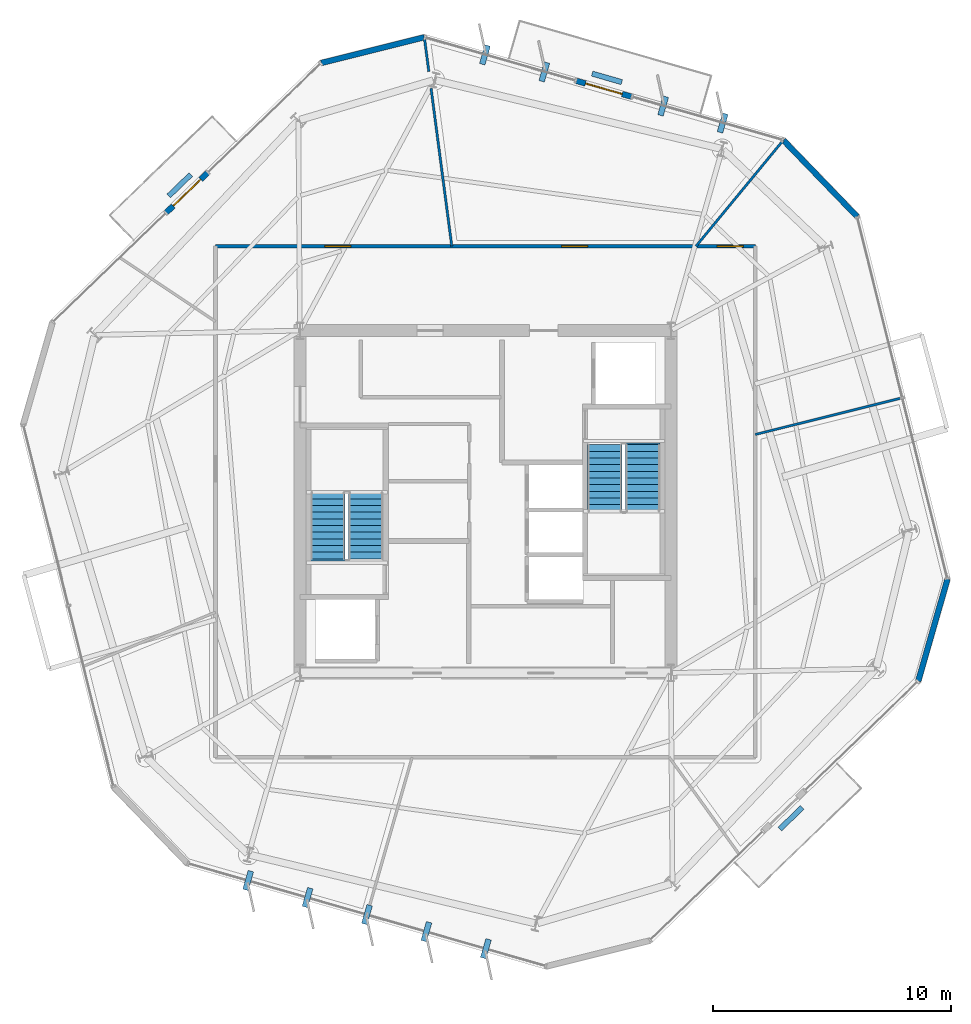
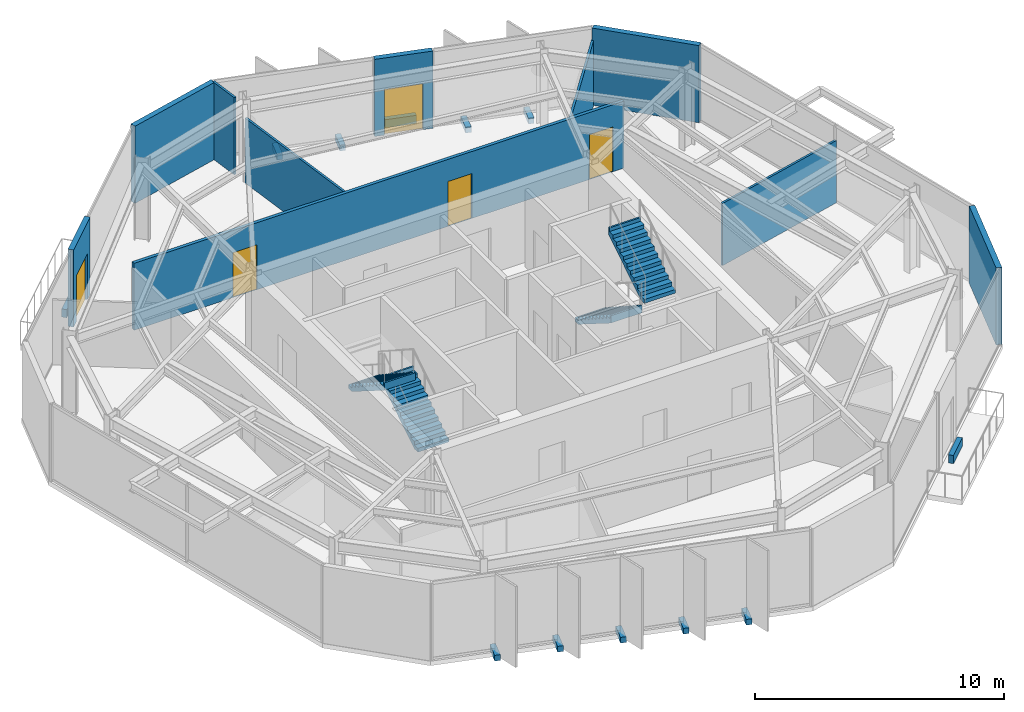
# One storey, part 8 of 10: 13 walls, 9 discrete accessories, 5 doors, 4 stair flights, 5 openings, 2 elements without a shape of their own.
"""IFC4 building model written with IfcOpenShell, lengths in metres."""

from ifc_helpers import new_model, si_unit, direction, frame, frame_2d, origin, origin_2d, place, context, subcontext, project, spatial, polyline, rectangle, outline, extrude, material, layer, layer_set, type_object, element, fill, aggregate, save


model = new_model("IFC4")

# Units and contexts
model_context = context("Model", 3, precision=1e-05, world=origin(), true_north=direction((0.0, 1.0)))
body_context = subcontext(model_context, "Body", "Model", "MODEL_VIEW")
ifc_project = project(units=[si_unit("LENGTHUNIT", "METRE"), si_unit("AREAUNIT", "SQUARE_METRE"), si_unit("VOLUMEUNIT", "CUBIC_METRE"), si_unit("PLANEANGLEUNIT", "RADIAN"), si_unit("MASSUNIT", "GRAM", prefix="KILO")], contexts=[model_context])

# Site, building, storey
site_placement = place(None, origin())
site = spatial("IfcSite", under=ifc_project, at=site_placement, CompositionType="ELEMENT")
building_placement = place(site_placement, origin())
building = spatial("IfcBuilding", under=site, at=building_placement, Name="Kranzbogen Civic Tower", CompositionType="ELEMENT")
storey_placement = place(building_placement, frame((0.0, 0.0, 200.800048828125)))
storey = spatial("IfcBuildingStorey", under=building, at=storey_placement, Name="L48", CompositionType="ELEMENT", Elevation=200.800048828125)

# Wall, openings, doors
ifc_material_1 = material(Name="Double-Stud Acoustic Gypsum Partition")
ifc_layer_1 = layer(ifc_material_1, 0.14990234375, Name="Double-Stud Acoustic Gypsum Partition")
ifc_layer_set_1 = layer_set([ifc_layer_1], Name="Double-Stud Acoustic Gypsum Partition")
wall_type_1 = type_object("IfcWallType", Name="Acoustic Corridor and Clinical Partition 150 mm", PredefinedType="PARTITIONING", material=ifc_layer_set_1)
wall_1_placement = place(storey_placement, frame((13.64990234375, 35.75, 0.0), z_axis=(0.0, 0.0, 1.0), x_axis=(1.0, 0.0, 0.0)))
wall_1 = element("IfcWall", 1, at=wall_1_placement, inside=storey, type_object=wall_type_1, Name="L48 corridor partition 01", PredefinedType="PARTITIONING", context=body_context, shape_type="SweptSolid", body=[
    extrude(rectangle(XDim=22.7001953125, YDim=0.14990234375, at=frame_2d((11.35009765625, 0.0))), origin(), (0.0, 0.0, 1.0), 3.280029296875),
])
opening_1_placement = place(wall_1_placement, frame((21.09912109375, 0.0, 0.0)))
opening_1 = element("IfcOpeningElement", 2, at=opening_1_placement, cuts=wall_1, Name="Opening D-COR60", PredefinedType="OPENING", context=body_context, shape_type="SweptSolid", body=[
    extrude(rectangle(XDim=1.10009765625, YDim=2.199951171875, at=frame_2d((0.550048828125, 1.10009765625))), frame((0.0, 0.0849609375, 0.0), z_axis=(0.0, -1.0, 0.0), x_axis=(1.0, 0.0, 0.0)), (0.0, 0.0, 1.0), 0.169921875),
])
opening_2_placement = place(wall_1_placement, frame((14.553955078125, 0.0, 0.0)))
opening_2 = element("IfcOpeningElement", 3, at=opening_2_placement, cuts=wall_1, Name="Opening D-COR60", PredefinedType="OPENING", context=body_context, shape_type="SweptSolid", body=[
    extrude(rectangle(XDim=1.10009765625, YDim=2.199951171875, at=frame_2d((0.550048828125, 1.10009765625))), frame((0.0, 0.0849609375, 0.0), z_axis=(0.0, -1.0, 0.0), x_axis=(1.0, 0.0, 0.0)), (0.0, 0.0, 1.0), 0.169921875),
])
opening_3_placement = place(wall_1_placement, frame((4.596923828125, 0.0, 0.0)))
opening_3 = element("IfcOpeningElement", 4, at=opening_3_placement, cuts=wall_1, Name="Opening D-COR60", PredefinedType="OPENING", context=body_context, shape_type="SweptSolid", body=[
    extrude(rectangle(XDim=1.10009765625, YDim=2.199951171875, at=frame_2d((0.550048828125, 1.10009765625))), frame((0.0, 0.0849609375, 0.0), z_axis=(0.0, -1.0, 0.0), x_axis=(1.0, 0.0, 0.0)), (0.0, 0.0, 1.0), 0.169921875),
])
ifc_material_2 = material(Name="Oak Timber and Fire Core", Category="wood")
door_type_1 = type_object("IfcDoorType", Name="Corridor Acoustic Fire Door 1100x2200", OperationType="NOTDEFINED", PredefinedType="DOOR", material=ifc_material_2)
door_1_placement = place(opening_1_placement, origin())
door_1 = element("IfcDoor", 5, at=door_1_placement, inside=storey, type_object=door_type_1, Name="L48 Municipal Exhibition Showroom door", OperationType="SINGLE_SWING_LEFT", OverallHeight=2.199951171875, OverallWidth=1.10009765625, PredefinedType="DOOR", context=body_context, shape_type="SweptSolid", body=[
    extrude(rectangle(XDim=1.10009765625, YDim=2.199951171875, at=frame_2d((0.550048828125, 1.10009765625))), frame((0.0, 0.02490234375, 0.0), z_axis=(0.0, -1.0, 0.0), x_axis=(1.0, 0.0, 0.0)), (0.0, 0.0, 1.0), 0.050048828125),
])
fill(opening_1, door_1)
door_2_placement = place(opening_2_placement, origin())
door_2 = element("IfcDoor", 6, at=door_2_placement, inside=storey, type_object=door_type_1, Name="L48 Licensing Information Kiosk door", OperationType="SINGLE_SWING_RIGHT", OverallHeight=2.199951171875, OverallWidth=1.10009765625, PredefinedType="DOOR", context=body_context, shape_type="SweptSolid", body=[
    extrude(rectangle(XDim=1.10009765625, YDim=2.199951171875, at=frame_2d((0.550048828125, 1.10009765625))), frame((0.0, 0.02490234375, 0.0), z_axis=(0.0, -1.0, 0.0), x_axis=(1.0, 0.0, 0.0)), (0.0, 0.0, 1.0), 0.050048828125),
])
fill(opening_2, door_2)
door_3_placement = place(opening_3_placement, origin())
door_3 = element("IfcDoor", 7, at=door_3_placement, inside=storey, type_object=door_type_1, Name="L48 Ministerial Policy Office door", OperationType="SINGLE_SWING_LEFT", OverallHeight=2.199951171875, OverallWidth=1.10009765625, PredefinedType="DOOR", context=body_context, shape_type="SweptSolid", body=[
    extrude(rectangle(XDim=1.10009765625, YDim=2.199951171875, at=frame_2d((0.550048828125, 1.10009765625))), frame((0.0, 0.02490234375, 0.0), z_axis=(0.0, -1.0, 0.0), x_axis=(1.0, 0.0, 0.0)), (0.0, 0.0, 1.0), 0.050048828125),
])
fill(opening_3, door_3)

# Walls
ifc_material_3 = material(Name="Architectural Precast Terracotta Concrete C40/50", Category="masonry")
ifc_layer_2 = layer(ifc_material_3, 0.219970703125, Name="Architectural Precast Terracotta Concrete C40/50")
ifc_layer_set_2 = layer_set([ifc_layer_2], Name="Architectural Precast Terracotta Concrete C40/50")
wall_type_2 = type_object("IfcWallType", Name="Architectural Tree Planter Kerb Wall 220 mm", PredefinedType="USERDEFINED", material=ifc_layer_set_2)
for number, where, z_axis, x_axis, name in (
    (8, (37.385986328125, 11.237060546875, 0.0), (0.0, 0.0, 1.0), (0.719288309138, 0.694711687204, 0.0), "L48 landscaped tree balcony planter L48-TB1"),
    (9, (12.614013671875, 38.762939453125, 0.0), (0.0, 0.0, 1.0), (-0.719288309138, -0.694711687204, 0.0), "L48 landscaped tree balcony planter L48-TB2"),
):
    element("IfcWall", number, at=place(storey_placement, frame(where, z_axis=z_axis, x_axis=x_axis)), inside=storey, type_object=wall_type_2, Name=name, ObjectType="PLANTER_WALL", PredefinedType="USERDEFINED", context=body_context, shape_type="SweptSolid", body=[
        extrude(rectangle(XDim=1.30126953125, YDim=0.219970703125, at=frame_2d((0.650634765625, 0.0))), origin(), (0.0, 0.0, 1.0), 0.39990234375),
    ])
wall_2_placement = place(storey_placement, frame((30.737060546875, 42.64892578125, 0.0), z_axis=(0.0, 0.0, 1.0), x_axis=(-0.961318208277, 0.275440197567, 0.0)))
element("IfcWall", 10, at=wall_2_placement, inside=storey, type_object=wall_type_2, Name="L48 landscaped tree balcony planter L48-ST", ObjectType="PLANTER_WALL", PredefinedType="USERDEFINED", context=body_context, shape_type="SweptSolid", body=[
    extrude(rectangle(XDim=1.30029296875, YDim=0.219970703125, at=frame_2d((0.650146484375, 0.0))), origin(), (0.0, 0.0, 1.0), 0.39990234375),
])
ifc_material_4 = material(Name="Demountable Aluminium and Gypsum Partition", Category="aluminium")
ifc_layer_3 = layer(ifc_material_4, 0.10009765625, Name="Demountable Aluminium and Gypsum Partition")
ifc_layer_set_3 = layer_set([ifc_layer_3], Name="Demountable Aluminium and Gypsum Partition")
wall_type_3 = type_object("IfcWallType", Name="Demountable Office Partition 100 mm", PredefinedType="MOVABLE", material=ifc_layer_set_3)
wall_3_placement = place(storey_placement, frame((23.5869140625, 35.75, 0.0), z_axis=(0.0, 0.0, 1.0), x_axis=(-0.130327203817, 0.991471038379, 0.0)))
element("IfcWall", 11, at=wall_3_placement, inside=storey, type_object=wall_type_3, Name="L48 radial room partition 01 part 1", PredefinedType="MOVABLE", context=body_context, shape_type="SweptSolid", body=[
    extrude(rectangle(XDim=6.697021484375, YDim=0.10009765625, at=frame_2d((3.3486328125, 0.0))), origin(), (0.0, 0.0, 1.0), 3.179931640625),
])
wall_4_placement = place(storey_placement, frame((22.6220703125, 43.090087890625, 0.0), z_axis=(0.0, 0.0, 1.0), x_axis=(-0.130520284178, 0.991445639164, 0.0)))
element("IfcWall", 12, at=wall_4_placement, inside=storey, type_object=wall_type_3, Name="L48 radial room partition 01 part 2", PredefinedType="MOVABLE", context=body_context, shape_type="SweptSolid", body=[
    extrude(rectangle(XDim=1.440185546875, YDim=0.10009765625, at=frame_2d((0.72021484375, 0.0))), origin(), (0.0, 0.0, 1.0), 3.780029296875),
])
wall_5_placement = place(storey_placement, frame((36.35009765625, 27.830078125, 0.0), z_axis=(0.0, 0.0, 1.0), x_axis=(0.970304919619, 0.241885020131, 0.0)))
element("IfcWall", 13, at=wall_5_placement, inside=storey, type_object=wall_type_3, Name="L48 radial room partition 06", PredefinedType="MOVABLE", context=body_context, shape_type="SweptSolid", body=[
    extrude(rectangle(XDim=6.357666015625, YDim=0.10009765625, at=frame_2d((3.1787109375, 0.0))), origin(), (0.0, 0.0, 1.0), 3.050048828125),
])
wall_6_placement = place(storey_placement, frame((33.85791015625, 35.75, 0.0), z_axis=(0.0, 0.0, 1.0), x_axis=(0.635924242857, 0.77175148678, 0.0)))
element("IfcWall", 14, at=wall_6_placement, inside=storey, type_object=wall_type_3, Name="L48 radial room partition 07", PredefinedType="MOVABLE", context=body_context, shape_type="SweptSolid", body=[
    extrude(rectangle(XDim=5.757080078125, YDim=0.10009765625, at=frame_2d((2.87841796875, 0.0))), origin(), (0.0, 0.0, 1.0), 3.179931640625),
])

# Wall, opening, door
ifc_material_5 = material(Name="Pale Anodised Aluminium", Category="aluminium")
ifc_layer_4 = layer(ifc_material_5, 0.239990234375, Name="Pale Anodised Aluminium")
ifc_layer_set_4 = layer_set([ifc_layer_4], Name="Pale Anodised Aluminium")
wall_type_4 = type_object("IfcWallType", Name="Insulated Aluminium Facade Portal Wall 240 mm", PredefinedType="STANDARD", material=ifc_layer_set_4)
wall_7_placement = place(storey_placement, frame((31.135009765625, 42.041015625, 0.0), z_axis=(0.0, 0.0, 1.0), x_axis=(-0.961335620244, 0.275379420529, 0.0)))
wall_7 = element("IfcWall", 15, at=wall_7_placement, inside=storey, type_object=wall_type_4, Name="L48 exterior entrance portal wall 1", PredefinedType="STANDARD", context=body_context, shape_type="SweptSolid", body=[
    extrude(rectangle(XDim=2.39990234375, YDim=0.239990234375, at=frame_2d((1.199951171875, 0.0))), origin(), (0.0, 0.0, 1.0), 3.780029296875),
])
opening_4_placement = place(wall_7_placement, frame((0.39990234375, 0.0, 0.0)))
opening_4 = element("IfcOpeningElement", 16, at=opening_4_placement, cuts=wall_7, Name="Opening D-TER", PredefinedType="OPENING", context=body_context, shape_type="SweptSolid", body=[
    extrude(rectangle(XDim=1.60009765625, YDim=2.25, at=frame_2d((0.800048828125, 1.125))), frame((0.0, 0.1298828125, 0.0), z_axis=(0.0, -1.0, 0.0), x_axis=(1.0, 0.0, 0.0)), (0.0, 0.0, 1.0), 0.260009765625),
])
ifc_material_6 = material(Name="Anodised Bronze and Triple Glass", Category="glass")
door_type_2 = type_object("IfcDoorType", Name="Glazed Terrace and Balcony Double Door 1600x2250", OperationType="DOUBLE_DOOR_SINGLE_SWING", PredefinedType="DOOR", material=ifc_material_6)
door_4_placement = place(opening_4_placement, frame((1.60009765625, 0.0, 0.0), z_axis=(0.0, 0.0, 1.0), x_axis=(-1.0, 0.0, 0.0)))
door_4 = element("IfcDoor", 17, at=door_4_placement, inside=storey, type_object=door_type_2, Name="L48 spiral terrace access door L48-ST", OperationType="DOUBLE_DOOR_SINGLE_SWING", OverallHeight=2.25, OverallWidth=1.60009765625, PredefinedType="DOOR", context=body_context, shape_type="SweptSolid", body=[
    extrude(rectangle(XDim=1.60009765625, YDim=2.25, at=frame_2d((0.800048828125, 1.125))), frame((0.0, 0.02490234375, 0.0), z_axis=(0.0, -1.0, 0.0), x_axis=(1.0, 0.0, 0.0)), (0.0, 0.0, 1.0), 0.050048828125),
])
fill(opening_4, door_4)

# Wall
wall_8_placement = place(storey_placement, frame((22.430908203125, 44.535888671875, 0.0), z_axis=(0.0, 0.0, 1.0), x_axis=(-0.970347888564, -0.241712587921, 0.0)))
element("IfcWall", 18, at=wall_8_placement, inside=storey, type_object=wall_type_4, Name="L48 chamfered corner facade spandrel 1", PredefinedType="STANDARD", context=body_context, shape_type="SweptSolid", body=[
    extrude(rectangle(XDim=4.467529296875, YDim=0.239990234375, at=frame_2d((2.23388671875, 0.0))), origin(), (0.0, 0.0, 1.0), 3.780029296875),
])

# Wall, opening, door
wall_9_placement = place(storey_placement, frame((13.30908203125, 38.8330078125, 0.0), z_axis=(0.0, 0.0, 1.0), x_axis=(-0.719310294305, -0.694688923552, 0.0)))
wall_9 = element("IfcWall", 19, at=wall_9_placement, inside=storey, type_object=wall_type_4, Name="L48 exterior entrance portal wall 1", PredefinedType="STANDARD", context=body_context, shape_type="SweptSolid", body=[
    extrude(rectangle(XDim=2.399658203125, YDim=0.239990234375, at=frame_2d((1.19970703125, 0.0))), origin(), (0.0, 0.0, 1.0), 3.780029296875),
])
opening_5_placement = place(wall_9_placement, frame((0.39990234375, 0.0, 0.0)))
opening_5 = element("IfcOpeningElement", 20, at=opening_5_placement, cuts=wall_9, Name="Opening D-TER", PredefinedType="OPENING", context=body_context, shape_type="SweptSolid", body=[
    extrude(rectangle(XDim=1.60009765625, YDim=2.25, at=frame_2d((0.800048828125, 1.125))), frame((0.0, 0.1298828125, 0.0), z_axis=(0.0, -1.0, 0.0), x_axis=(1.0, 0.0, 0.0)), (0.0, 0.0, 1.0), 0.260009765625),
])
door_5_placement = place(opening_5_placement, frame((1.60009765625, 0.0, 0.0), z_axis=(0.0, 0.0, 1.0), x_axis=(-1.0, 0.0, 0.0)))
door_5 = element("IfcDoor", 21, at=door_5_placement, inside=storey, type_object=door_type_2, Name="L48 tree balcony access door L48-TB2", OperationType="DOUBLE_DOOR_SINGLE_SWING", OverallHeight=2.25, OverallWidth=1.60009765625, PredefinedType="DOOR", context=body_context, shape_type="SweptSolid", body=[
    extrude(rectangle(XDim=1.60009765625, YDim=2.25, at=frame_2d((0.800048828125, 1.125))), frame((0.0, 0.02490234375, 0.0), z_axis=(0.0, -1.0, 0.0), x_axis=(1.0, 0.0, 0.0)), (0.0, 0.0, 1.0), 0.050048828125),
])
fill(opening_5, door_5)

# Walls
wall_10_placement = place(storey_placement, frame((43.2041015625, 17.45703125, 0.0), z_axis=(0.0, 0.0, 1.0), x_axis=(0.275572820258, 0.961280198868, 0.0)))
element("IfcWall", 22, at=wall_10_placement, inside=storey, type_object=wall_type_4, Name="L48 chamfered corner facade spandrel 5", PredefinedType="STANDARD", context=body_context, shape_type="SweptSolid", body=[
    extrude(rectangle(XDim=4.466796875, YDim=0.239990234375, at=frame_2d((2.2333984375, 0.0))), origin(), (0.0, 0.0, 1.0), 3.780029296875),
])
wall_11_placement = place(storey_placement, frame((40.635009765625, 36.992919921875, 0.0), z_axis=(0.0, 0.0, 1.0), x_axis=(-0.69467836701, 0.719320489357, 0.0)))
element("IfcWall", 23, at=wall_11_placement, inside=storey, type_object=wall_type_4, Name="L48 chamfered corner facade spandrel 6", PredefinedType="STANDARD", context=body_context, shape_type="SweptSolid", body=[
    extrude(rectangle(XDim=4.46826171875, YDim=0.239990234375, at=frame_2d((2.234130859375, 0.0))), origin(), (0.0, 0.0, 1.0), 3.780029296875),
])

# Stair, stair flights
ifc_material_7 = material(Name="Precast concrete C40/50", Category="concrete")
stair_type_1 = type_object("IfcStairType", Name="Tower Core Pressurized Dogleg Stair 1450", PredefinedType="HALF_TURN_STAIR", material=ifc_material_7)
stair_1_placement = place(storey_placement, origin())
stair_1 = element("IfcStair", 24, at=stair_1_placement, inside=storey, type_object=stair_type_1, Name="L48 Tower Core Pressurized Stair 1", PredefinedType="HALF_TURN_STAIR")
stair_flight_type = type_object("IfcStairFlightType", Name="Precast Concrete Stair Flight R180", PredefinedType="STRAIGHT", material=ifc_material_7)
stair_flight_1_placement = place(storey_placement, frame((19.97509765625, 22.60009765625, 0.0), z_axis=(0.0, 0.0, 1.0), x_axis=(0.0, 1.0, 0.0)))
stair_flight_1 = element("IfcStairFlight", 25, at=stair_flight_1_placement, type_object=stair_flight_type, Name="ST-T1 flight 1", NumberOfRisers=11, NumberOfTreads=10, PredefinedType="STRAIGHT", RiserHeight=0.181818182, TreadLength=0.28, context=body_context, shape_type="SweptSolid", body=[
    extrude(outline(polyline([(0.0, 0.0), (0.0, 0.181884765625), (0.280029296875, 0.181884765625), (0.280029296875, 0.363525390625), (0.56005859375, 0.363525390625), (0.56005859375, 0.54541015625), (0.840087890625, 0.54541015625), (0.840087890625, 0.727294921875), (1.1201171875, 0.727294921875), (1.1201171875, 0.9091796875), (1.39990234375, 0.9091796875), (1.39990234375, 1.0908203125), (1.679931640625, 1.0908203125), (1.679931640625, 1.272705078125), (1.9599609375, 1.272705078125), (1.9599609375, 1.45458984375), (2.239990234375, 1.45458984375), (2.239990234375, 1.636474609375), (2.52001953125, 1.636474609375), (2.52001953125, 1.818115234375), (2.800048828125, 1.818115234375), (2.800048828125, 2.0), (2.880126953125, 2.0), (2.880126953125, 1.639404296875), (0.275146484375, 0.0), (0.0, 0.0)])), frame((0.0, 0.72509765625, 0.0), z_axis=(0.0, -1.0, 0.0), x_axis=(1.0, 0.0, 0.0)), (0.0, 0.0, 1.0), 1.449951171875),
])
stair_flight_2_placement = place(storey_placement, frame((18.375, 25.39990234375, 2.0), z_axis=(0.0, 0.0, 1.0), x_axis=(0.0, -1.0, 0.0)))
stair_flight_2 = element("IfcStairFlight", 26, at=stair_flight_2_placement, type_object=stair_flight_type, Name="ST-T1 flight 2", NumberOfRisers=11, NumberOfTreads=10, PredefinedType="STRAIGHT", RiserHeight=0.181818182, TreadLength=0.28, context=body_context, shape_type="SweptSolid", body=[
    extrude(outline(polyline([(0.0, 0.0), (0.0, 0.181884765625), (0.280029296875, 0.181884765625), (0.280029296875, 0.363525390625), (0.56005859375, 0.363525390625), (0.56005859375, 0.54541015625), (0.840087890625, 0.54541015625), (0.840087890625, 0.727294921875), (1.1201171875, 0.727294921875), (1.1201171875, 0.9091796875), (1.39990234375, 0.9091796875), (1.39990234375, 1.0908203125), (1.679931640625, 1.0908203125), (1.679931640625, 1.272705078125), (1.9599609375, 1.272705078125), (1.9599609375, 1.45458984375), (2.239990234375, 1.45458984375), (2.239990234375, 1.636474609375), (2.52001953125, 1.636474609375), (2.52001953125, 1.818115234375), (2.800048828125, 1.818115234375), (2.800048828125, 2.0), (2.880126953125, 2.0), (2.880126953125, 1.639404296875), (0.275146484375, 0.0), (0.0, 0.0)])), frame((0.0, 0.72509765625, 0.0), z_axis=(0.0, -1.0, 0.0), x_axis=(1.0, 0.0, 0.0)), (0.0, 0.0, 1.0), 1.449951171875),
])
aggregate(stair_1, [stair_flight_1, stair_flight_2])

stair_type_2 = type_object("IfcStairType", Name="Tower Core Secondary Dogleg Stair 1450", PredefinedType="HALF_TURN_STAIR", material=ifc_material_7)
stair_2_placement = place(storey_placement, origin())
stair_2 = element("IfcStair", 27, at=stair_2_placement, inside=storey, type_object=stair_type_2, Name="L48 Tower Core Pressurized Stair 2", PredefinedType="HALF_TURN_STAIR")
stair_flight_3_placement = place(storey_placement, frame((30.02490234375, 27.39990234375, 0.0), z_axis=(0.0, 0.0, 1.0), x_axis=(0.0, -1.0, 0.0)))
stair_flight_3 = element("IfcStairFlight", 28, at=stair_flight_3_placement, type_object=stair_flight_type, Name="ST-T2 flight 1", NumberOfRisers=11, NumberOfTreads=10, PredefinedType="STRAIGHT", RiserHeight=0.181818182, TreadLength=0.28, context=body_context, shape_type="SweptSolid", body=[
    extrude(outline(polyline([(0.0, 0.0), (0.0, 0.181884765625), (0.280029296875, 0.181884765625), (0.280029296875, 0.363525390625), (0.56005859375, 0.363525390625), (0.56005859375, 0.54541015625), (0.840087890625, 0.54541015625), (0.840087890625, 0.727294921875), (1.1201171875, 0.727294921875), (1.1201171875, 0.9091796875), (1.39990234375, 0.9091796875), (1.39990234375, 1.0908203125), (1.679931640625, 1.0908203125), (1.679931640625, 1.272705078125), (1.9599609375, 1.272705078125), (1.9599609375, 1.45458984375), (2.239990234375, 1.45458984375), (2.239990234375, 1.636474609375), (2.52001953125, 1.636474609375), (2.52001953125, 1.818115234375), (2.800048828125, 1.818115234375), (2.800048828125, 2.0), (2.880126953125, 2.0), (2.880126953125, 1.639404296875), (0.275146484375, 0.0), (0.0, 0.0)])), frame((0.0, 0.72509765625, 0.0), z_axis=(0.0, -1.0, 0.0), x_axis=(1.0, 0.0, 0.0)), (0.0, 0.0, 1.0), 1.449951171875),
])
stair_flight_4_placement = place(storey_placement, frame((31.625, 24.60009765625, 2.0), z_axis=(0.0, 0.0, 1.0), x_axis=(0.0, 1.0, 0.0)))
stair_flight_4 = element("IfcStairFlight", 29, at=stair_flight_4_placement, type_object=stair_flight_type, Name="ST-T2 flight 2", NumberOfRisers=11, NumberOfTreads=10, PredefinedType="STRAIGHT", RiserHeight=0.181818182, TreadLength=0.28, context=body_context, shape_type="SweptSolid", body=[
    extrude(outline(polyline([(0.0, 0.0), (0.0, 0.181884765625), (0.280029296875, 0.181884765625), (0.280029296875, 0.363525390625), (0.56005859375, 0.363525390625), (0.56005859375, 0.54541015625), (0.840087890625, 0.54541015625), (0.840087890625, 0.727294921875), (1.1201171875, 0.727294921875), (1.1201171875, 0.9091796875), (1.39990234375, 0.9091796875), (1.39990234375, 1.0908203125), (1.679931640625, 1.0908203125), (1.679931640625, 1.272705078125), (1.9599609375, 1.272705078125), (1.9599609375, 1.45458984375), (2.239990234375, 1.45458984375), (2.239990234375, 1.636474609375), (2.52001953125, 1.636474609375), (2.52001953125, 1.818115234375), (2.800048828125, 1.818115234375), (2.800048828125, 2.0), (2.880126953125, 2.0), (2.880126953125, 1.639404296875), (0.275146484375, 0.0), (0.0, 0.0)])), frame((0.0, 0.72509765625, 0.0), z_axis=(0.0, -1.0, 0.0), x_axis=(1.0, 0.0, 0.0)), (0.0, 0.0, 1.0), 1.449951171875),
])
aggregate(stair_2, [stair_flight_3, stair_flight_4])

# Discrete accessories
ifc_material_8 = material(Name="Steel S355", Category="steel")
discrete_accessory_type = type_object("IfcDiscreteAccessoryType", Name="Structural Curtain-Wall Fin Support Bracket", PredefinedType="BRACKET", material=ifc_material_8)
for number, where, z_axis, x_axis, name in (
    (30, (34.97705078125, 40.927001953125, -0.25), (0.0, 0.0, 1.0), (0.275637355817, 0.961261695938, 0.0), "L48 facade fin support bracket F1-1"),
    (31, (32.47705078125, 41.64404296875, -0.25), (0.0, 0.0, 1.0), (0.275637355817, 0.961261695938, 0.0), "L48 facade fin support bracket F1-2"),
    (32, (27.47900390625, 43.076904296875, -0.25), (0.0, 0.0, 1.0), (0.275637355817, 0.961261695938, 0.0), "L48 facade fin support bracket F1-4"),
    (33, (24.97900390625, 43.7939453125, -0.25), (0.0, 0.0, 1.0), (0.275637355817, 0.961261695938, 0.0), "L48 facade fin support bracket F1-5"),
    (34, (15.02294921875, 9.072998046875, -0.25), (0.0, 0.0, 1.0), (-0.275637355817, -0.961261695938, 0.0), "L48 facade fin support bracket F4-1"),
    (35, (17.52294921875, 8.35595703125, -0.25), (0.0, 0.0, 1.0), (-0.275637355817, -0.961261695938, 0.0), "L48 facade fin support bracket F4-2"),
    (36, (20.02197265625, 7.639892578125, -0.25), (0.0, 0.0, 1.0), (-0.275637355817, -0.961261695938, 0.0), "L48 facade fin support bracket F4-3"),
    (37, (22.52099609375, 6.923095703125, -0.25), (0.0, 0.0, 1.0), (-0.275637355817, -0.961261695938, 0.0), "L48 facade fin support bracket F4-4"),
    (38, (25.02099609375, 6.2060546875, -0.25), (0.0, 0.0, 1.0), (-0.275637355817, -0.961261695938, 0.0), "L48 facade fin support bracket F4-5"),
):
    element("IfcDiscreteAccessory", number, at=place(storey_placement, frame(where, z_axis=z_axis, x_axis=x_axis)), inside=storey, type_object=discrete_accessory_type, Name=name, PredefinedType="BRACKET", context=body_context, shape_type="SweptSolid", body=[
        extrude(rectangle(XDim=0.820068359375, YDim=0.239990234375, at=origin_2d()), origin(), (0.0, 0.0, 1.0), 0.280029296875),
    ])

save(model, "model.ifc")
